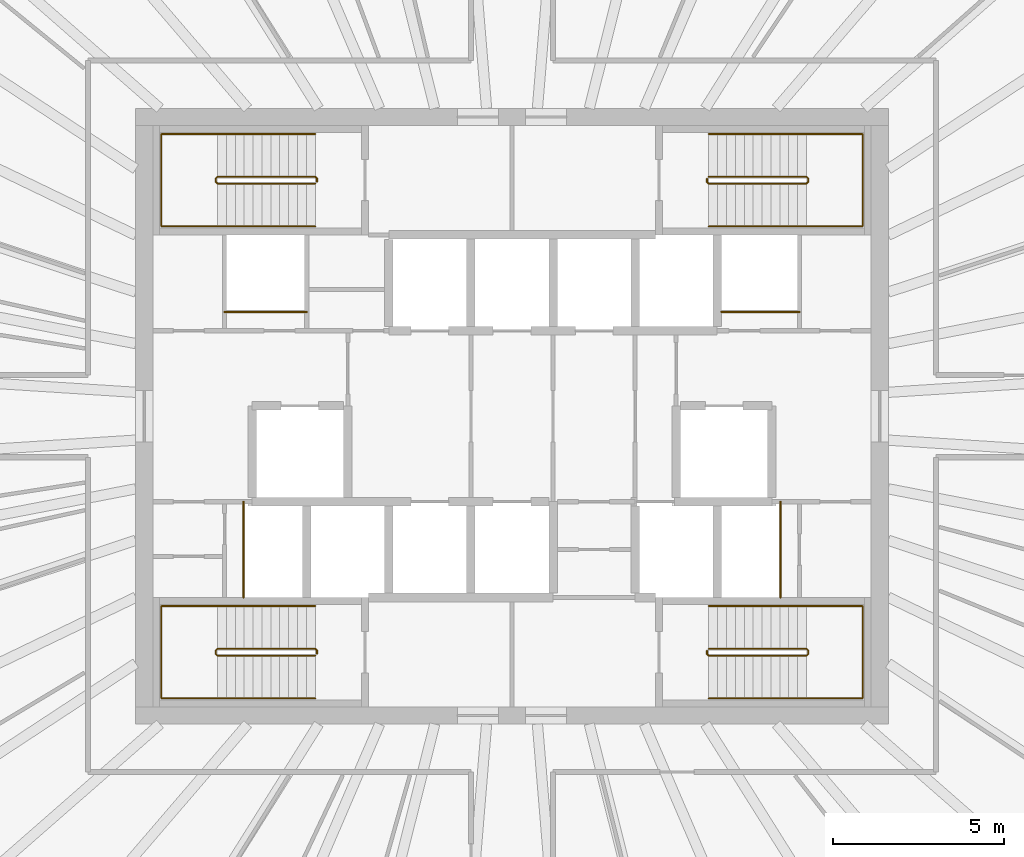
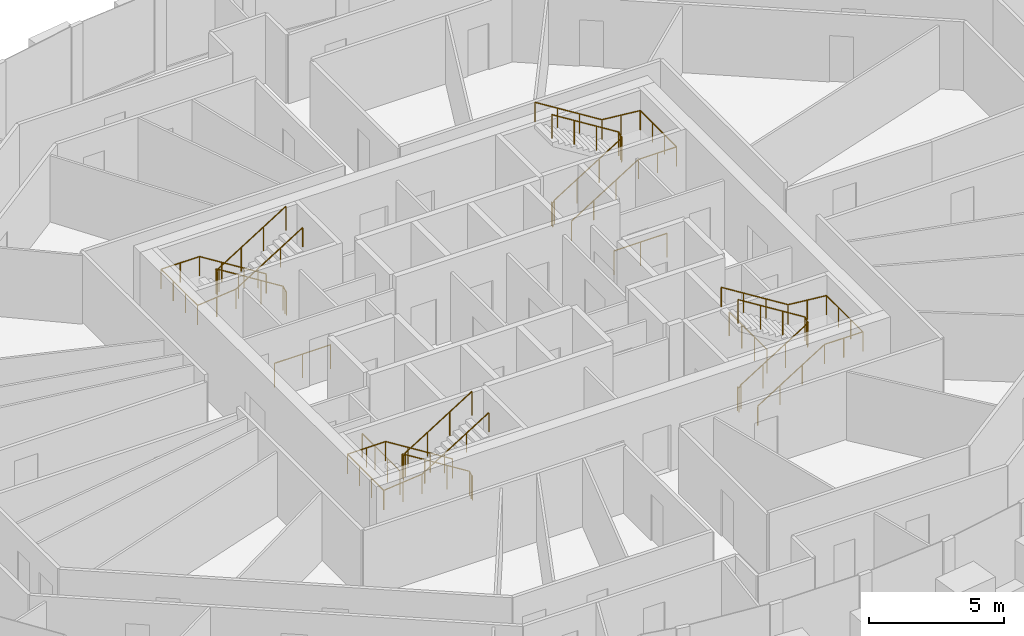
# One storey, part 12 of 12: 12 railings.
"""IFC4 building model written with IfcOpenShell, lengths in metres."""

from ifc_helpers import new_model, si_unit, direction, frame, origin, origin_2d, place, context, subcontext, project, spatial, circle, extrude, source, transform, mapped, material, type_object, element, save


model = new_model("IFC4")

# Units and contexts
model_context = context("Model", 3, precision=1e-05, world=origin(), true_north=direction((0.0, 1.0)))
body_context = subcontext(model_context, "Body", "Model", "MODEL_VIEW")
ifc_project = project(units=[si_unit("LENGTHUNIT", "METRE"), si_unit("AREAUNIT", "SQUARE_METRE"), si_unit("VOLUMEUNIT", "CUBIC_METRE"), si_unit("PLANEANGLEUNIT", "RADIAN"), si_unit("MASSUNIT", "GRAM", prefix="KILO")], contexts=[model_context])

# Site, building, storey
site_placement = place(None, origin())
site = spatial("IfcSite", under=ifc_project, at=site_placement, CompositionType="ELEMENT")
building_placement = place(site_placement, origin())
building = spatial("IfcBuilding", under=site, at=building_placement, Name="Embergate Tower", CompositionType="ELEMENT")
storey_placement = place(building_placement, frame((0.0, 0.0, 293.5)))
storey = spatial("IfcBuildingStorey", under=building, at=storey_placement, Name="L68", CompositionType="ELEMENT", Elevation=293.5)

# Railings
ifc_material_1 = material(Name="Stair guard 1100")
railing_type_1 = type_object("IfcRailingType", Name="Stair guard 1100", PredefinedType="GUARDRAIL", material=ifc_material_1)
shared_shape_1 = source(origin(), body_context, "Body", "SweptSolid", [
    extrude(circle(Radius=0.02392578125, at=origin_2d()), frame((0.0, 0.0, 1.076171875), z_axis=(0.0, 1.0, 0.0), x_axis=(-1.0, 0.0, 0.0)), (0.0, 0.0, 1.0), 0.099853515625),
    extrude(circle(Radius=0.02392578125, at=origin_2d()), frame((0.0, 0.099853515625, 1.076171875), z_axis=(-0.282227285176, 0.282227285176, 0.916894497205), x_axis=(-0.707106781187, -0.707106781187, 0.0)), (0.0, 0.0, 1.0), 0.17724609375),
    extrude(circle(Radius=0.02392578125, at=origin_2d()), frame((-0.050048828125, 0.14990234375, 1.23876953125), z_axis=(-0.848026770018, 0.0, 0.529953391661), x_axis=(0.0, -1.0, 0.0)), (0.0, 0.0, 1.0), 3.37255859375),
    extrude(circle(Radius=0.02392578125, at=origin_2d()), frame((-2.91015625, 0.14990234375, 3.02587890625), z_axis=(-0.705375805398, -0.708833529934, 0.0), x_axis=(0.708833529934, -0.705375805398, 0.0)), (0.0, 0.0, 1.0), 0.070556640625),
    extrude(circle(Radius=0.02392578125, at=origin_2d()), frame((-2.9599609375, 0.099853515625, 3.02587890625), z_axis=(0.0, -1.0, 0.0), x_axis=(1.0, 0.0, 0.0)), (0.0, 0.0, 1.0), 0.099853515625),
    extrude(circle(Radius=0.02392578125, at=origin_2d()), frame((-2.9599609375, 0.0, 3.02587890625), z_axis=(0.280959487676, -0.282336740067, 0.917250092119), x_axis=(0.708833529934, 0.705375805398, 0.0)), (0.0, 0.0, 1.0), 0.17724609375),
    extrude(circle(Radius=0.02392578125, at=origin_2d()), frame((-2.91015625, -0.050048828125, 3.1884765625), z_axis=(0.848026770018, 0.0, 0.529953391661), x_axis=(0.0, 1.0, 0.0)), (0.0, 0.0, 1.0), 3.37255859375),
    extrude(circle(Radius=0.02099609375, at=origin_2d()), origin(), (0.0, 0.0, 1.0), 1.052001953125),
    extrude(circle(Radius=0.02099609375, at=origin_2d()), frame((0.0, 0.099853515625, 0.0)), (0.0, 0.0, 1.0), 1.052001953125),
    extrude(circle(Radius=0.02099609375, at=origin_2d()), frame((-0.050048828125, 0.14990234375, 0.16259765625)), (0.0, 0.0, 1.0), 1.052001953125),
    extrude(circle(Radius=0.02099609375, at=origin_2d()), frame((-1.00341796875, 0.14990234375, 0.75830078125)), (0.0, 0.0, 1.0), 1.052001953125),
    extrude(circle(Radius=0.02099609375, at=origin_2d()), frame((-1.956787109375, 0.14990234375, 1.354248046875)), (0.0, 0.0, 1.0), 1.052001953125),
    extrude(circle(Radius=0.02099609375, at=origin_2d()), frame((-2.91015625, 0.14990234375, 1.949951171875)), (0.0, 0.0, 1.0), 1.052001953125),
    extrude(circle(Radius=0.02099609375, at=origin_2d()), frame((-2.9599609375, 0.099853515625, 1.949951171875)), (0.0, 0.0, 1.0), 1.052001953125),
    extrude(circle(Radius=0.02099609375, at=origin_2d()), frame((-2.9599609375, 0.0, 1.949951171875)), (0.0, 0.0, 1.0), 1.052001953125),
    extrude(circle(Radius=0.02099609375, at=origin_2d()), frame((-2.91015625, -0.050048828125, 2.112548828125)), (0.0, 0.0, 1.0), 1.052001953125),
    extrude(circle(Radius=0.02099609375, at=origin_2d()), frame((-1.956787109375, -0.050048828125, 2.708251953125)), (0.0, 0.0, 1.0), 1.052001953125),
    extrude(circle(Radius=0.02099609375, at=origin_2d()), frame((-1.00341796875, -0.050048828125, 3.30419921875)), (0.0, 0.0, 1.0), 1.052001953125),
    extrude(circle(Radius=0.02099609375, at=origin_2d()), frame((-0.050048828125, -0.050048828125, 3.89990234375)), (0.0, 0.0, 1.0), 1.052001953125),
])
for number, where, name in (
    (1, (-5.699951171875, 6.85009765625, 0.0), "L68 ST1 stair guard 1"),
    (2, (-5.699951171875, -6.949951171875, 0.0), "L68 ST3 stair guard 1"),
):
    element("IfcRailing", number, at=place(storey_placement, frame(where)), inside=storey, type_object=railing_type_1, Name=name, PredefinedType="GUARDRAIL", context=body_context, shape_type="MappedRepresentation", body=[
        mapped(shared_shape_1, transform((0.0, 0.0, 0.0))),
    ])
ifc_material_2 = material(Name="Stair handrail 900")
railing_type_2 = type_object("IfcRailingType", Name="Stair handrail 900", PredefinedType="HANDRAIL", material=ifc_material_2)
shared_shape_2 = source(origin(), body_context, "Body", "SweptSolid", [
    extrude(circle(Radius=0.02392578125, at=origin_2d()), frame((0.0, 0.0, 0.8759765625), z_axis=(-0.848026770018, 0.0, 0.529953391661), x_axis=(0.0, -1.0, 0.0)), (0.0, 0.0, 1.0), 3.37255859375),
    extrude(circle(Radius=0.02392578125, at=origin_2d()), frame((-2.860107421875, 0.0, 2.6630859375), z_axis=(-1.0, 0.0, 0.0), x_axis=(0.0, -1.0, 0.0)), (0.0, 0.0, 1.0), 1.639892578125),
    extrude(circle(Radius=0.02392578125, at=origin_2d()), frame((-4.5, 0.0, 2.6630859375), z_axis=(0.0, -1.0, 0.0), x_axis=(1.0, 0.0, 0.0)), (0.0, 0.0, 1.0), 2.699951171875),
    extrude(circle(Radius=0.02392578125, at=origin_2d()), frame((-4.5, -2.699951171875, 2.6630859375), z_axis=(0.995120448088, 0.0, 0.098667592441), x_axis=(0.0, 1.0, 0.0)), (0.0, 0.0, 1.0), 1.64794921875),
    extrude(circle(Radius=0.02392578125, at=origin_2d()), frame((-2.860107421875, -2.699951171875, 2.82568359375), z_axis=(0.848026770018, 0.0, 0.529953391661), x_axis=(0.0, 1.0, 0.0)), (0.0, 0.0, 1.0), 3.37255859375),
    extrude(circle(Radius=0.02099609375, at=origin_2d()), origin(), (0.0, 0.0, 1.0), 0.851806640625),
    extrude(circle(Radius=0.02099609375, at=origin_2d()), frame((-0.953369140625, 0.0, 0.595703125)), (0.0, 0.0, 1.0), 0.851806640625),
    extrude(circle(Radius=0.02099609375, at=origin_2d()), frame((-1.90673828125, 0.0, 1.191650390625)), (0.0, 0.0, 1.0), 0.851806640625),
    extrude(circle(Radius=0.02099609375, at=origin_2d()), frame((-2.860107421875, 0.0, 1.787353515625)), (0.0, 0.0, 1.0), 0.851806640625),
    extrude(circle(Radius=0.02099609375, at=origin_2d()), frame((-3.68017578125, 0.0, 1.787353515625)), (0.0, 0.0, 1.0), 0.851806640625),
    extrude(circle(Radius=0.02099609375, at=origin_2d()), frame((-4.5, 0.0, 1.787353515625)), (0.0, 0.0, 1.0), 0.851806640625),
    extrude(circle(Radius=0.02099609375, at=origin_2d()), frame((-4.5, -0.89990234375, 1.787353515625)), (0.0, 0.0, 1.0), 0.851806640625),
    extrude(circle(Radius=0.02099609375, at=origin_2d()), frame((-4.5, -1.800048828125, 1.787353515625)), (0.0, 0.0, 1.0), 0.851806640625),
    extrude(circle(Radius=0.02099609375, at=origin_2d()), frame((-4.5, -2.699951171875, 1.787353515625)), (0.0, 0.0, 1.0), 0.851806640625),
    extrude(circle(Radius=0.02099609375, at=origin_2d()), frame((-3.68017578125, -2.699951171875, 1.86865234375)), (0.0, 0.0, 1.0), 0.851806640625),
    extrude(circle(Radius=0.02099609375, at=origin_2d()), frame((-2.860107421875, -2.699951171875, 1.949951171875)), (0.0, 0.0, 1.0), 0.851806640625),
    extrude(circle(Radius=0.02099609375, at=origin_2d()), frame((-1.90673828125, -2.699951171875, 2.545654296875)), (0.0, 0.0, 1.0), 0.851806640625),
    extrude(circle(Radius=0.02099609375, at=origin_2d()), frame((-0.953369140625, -2.699951171875, 3.1416015625)), (0.0, 0.0, 1.0), 0.851806640625),
    extrude(circle(Radius=0.02099609375, at=origin_2d()), frame((0.0, -2.699951171875, 3.7373046875)), (0.0, 0.0, 1.0), 0.851806640625),
])
for number, where, name in (
    (3, (-5.75, 8.25, 0.16259765625), "L68 ST1 stair handrail 1"),
    (4, (-5.75, -5.550048828125, 0.16259765625), "L68 ST3 stair handrail 1"),
):
    element("IfcRailing", number, at=place(storey_placement, frame(where)), inside=storey, type_object=railing_type_2, Name=name, PredefinedType="HANDRAIL", context=body_context, shape_type="MappedRepresentation", body=[
        mapped(shared_shape_2, transform((0.0, 0.0, 0.0))),
    ])
shared_shape_3 = source(origin(), body_context, "Body", "SweptSolid", [
    extrude(circle(Radius=0.02392578125, at=origin_2d()), frame((0.0, 0.0, 1.076171875), z_axis=(0.0, -1.0, 0.0), x_axis=(1.0, 0.0, 0.0)), (0.0, 0.0, 1.0), 0.099853515625),
    extrude(circle(Radius=0.02392578125, at=origin_2d()), frame((0.0, -0.099853515625, 1.076171875), z_axis=(0.282227285176, -0.282227285176, 0.916894497205), x_axis=(0.707106781187, 0.707106781187, 0.0)), (0.0, 0.0, 1.0), 0.17724609375),
    extrude(circle(Radius=0.02392578125, at=origin_2d()), frame((0.050048828125, -0.14990234375, 1.23876953125), z_axis=(0.848026770018, 0.0, 0.529953391661), x_axis=(0.0, 1.0, 0.0)), (0.0, 0.0, 1.0), 3.37255859375),
    extrude(circle(Radius=0.02392578125, at=origin_2d()), frame((2.91015625, -0.14990234375, 3.02587890625), z_axis=(0.705375805398, 0.708833529934, 0.0), x_axis=(-0.708833529934, 0.705375805398, 0.0)), (0.0, 0.0, 1.0), 0.070556640625),
    extrude(circle(Radius=0.02392578125, at=origin_2d()), frame((2.9599609375, -0.099853515625, 3.02587890625), z_axis=(0.0, 1.0, 0.0), x_axis=(-1.0, 0.0, 0.0)), (0.0, 0.0, 1.0), 0.099853515625),
    extrude(circle(Radius=0.02392578125, at=origin_2d()), frame((2.9599609375, 0.0, 3.02587890625), z_axis=(-0.280959487676, 0.282336740067, 0.917250092119), x_axis=(-0.708833529934, -0.705375805398, 0.0)), (0.0, 0.0, 1.0), 0.17724609375),
    extrude(circle(Radius=0.02392578125, at=origin_2d()), frame((2.91015625, 0.050048828125, 3.1884765625), z_axis=(-0.848026770018, 0.0, 0.529953391661), x_axis=(0.0, -1.0, 0.0)), (0.0, 0.0, 1.0), 3.37255859375),
    extrude(circle(Radius=0.02099609375, at=origin_2d()), origin(), (0.0, 0.0, 1.0), 1.052001953125),
    extrude(circle(Radius=0.02099609375, at=origin_2d()), frame((0.0, -0.099853515625, 0.0)), (0.0, 0.0, 1.0), 1.052001953125),
    extrude(circle(Radius=0.02099609375, at=origin_2d()), frame((0.050048828125, -0.14990234375, 0.16259765625)), (0.0, 0.0, 1.0), 1.052001953125),
    extrude(circle(Radius=0.02099609375, at=origin_2d()), frame((1.00341796875, -0.14990234375, 0.75830078125)), (0.0, 0.0, 1.0), 1.052001953125),
    extrude(circle(Radius=0.02099609375, at=origin_2d()), frame((1.956787109375, -0.14990234375, 1.354248046875)), (0.0, 0.0, 1.0), 1.052001953125),
    extrude(circle(Radius=0.02099609375, at=origin_2d()), frame((2.91015625, -0.14990234375, 1.949951171875)), (0.0, 0.0, 1.0), 1.052001953125),
    extrude(circle(Radius=0.02099609375, at=origin_2d()), frame((2.9599609375, -0.099853515625, 1.949951171875)), (0.0, 0.0, 1.0), 1.052001953125),
    extrude(circle(Radius=0.02099609375, at=origin_2d()), frame((2.9599609375, 0.0, 1.949951171875)), (0.0, 0.0, 1.0), 1.052001953125),
    extrude(circle(Radius=0.02099609375, at=origin_2d()), frame((2.91015625, 0.050048828125, 2.112548828125)), (0.0, 0.0, 1.0), 1.052001953125),
    extrude(circle(Radius=0.02099609375, at=origin_2d()), frame((1.956787109375, 0.050048828125, 2.708251953125)), (0.0, 0.0, 1.0), 1.052001953125),
    extrude(circle(Radius=0.02099609375, at=origin_2d()), frame((1.00341796875, 0.050048828125, 3.30419921875)), (0.0, 0.0, 1.0), 1.052001953125),
    extrude(circle(Radius=0.02099609375, at=origin_2d()), frame((0.050048828125, 0.050048828125, 3.89990234375)), (0.0, 0.0, 1.0), 1.052001953125),
])
for number, where, name in (
    (5, (5.699951171875, 6.949951171875, 0.0), "L68 ST2 stair guard 1"),
    (6, (5.699951171875, -6.85009765625, 0.0), "L68 ST4 stair guard 1"),
):
    element("IfcRailing", number, at=place(storey_placement, frame(where)), inside=storey, type_object=railing_type_1, Name=name, PredefinedType="GUARDRAIL", context=body_context, shape_type="MappedRepresentation", body=[
        mapped(shared_shape_3, transform((0.0, 0.0, 0.0))),
    ])
shared_shape_4 = source(origin(), body_context, "Body", "SweptSolid", [
    extrude(circle(Radius=0.02392578125, at=origin_2d()), frame((0.0, 0.0, 0.8759765625), z_axis=(0.848026770018, 0.0, 0.529953391661), x_axis=(0.0, 1.0, 0.0)), (0.0, 0.0, 1.0), 3.37255859375),
    extrude(circle(Radius=0.02392578125, at=origin_2d()), frame((2.860107421875, 0.0, 2.6630859375), z_axis=(1.0, 0.0, 0.0), x_axis=(0.0, 1.0, 0.0)), (0.0, 0.0, 1.0), 1.639892578125),
    extrude(circle(Radius=0.02392578125, at=origin_2d()), frame((4.5, 0.0, 2.6630859375), z_axis=(0.0, 1.0, 0.0), x_axis=(-1.0, 0.0, 0.0)), (0.0, 0.0, 1.0), 2.699951171875),
    extrude(circle(Radius=0.02392578125, at=origin_2d()), frame((4.5, 2.699951171875, 2.6630859375), z_axis=(-0.995120448088, 0.0, 0.098667592441), x_axis=(0.0, -1.0, 0.0)), (0.0, 0.0, 1.0), 1.64794921875),
    extrude(circle(Radius=0.02392578125, at=origin_2d()), frame((2.860107421875, 2.699951171875, 2.82568359375), z_axis=(-0.848026770018, 0.0, 0.529953391661), x_axis=(0.0, -1.0, 0.0)), (0.0, 0.0, 1.0), 3.37255859375),
    extrude(circle(Radius=0.02099609375, at=origin_2d()), origin(), (0.0, 0.0, 1.0), 0.851806640625),
    extrude(circle(Radius=0.02099609375, at=origin_2d()), frame((0.953369140625, 0.0, 0.595703125)), (0.0, 0.0, 1.0), 0.851806640625),
    extrude(circle(Radius=0.02099609375, at=origin_2d()), frame((1.90673828125, 0.0, 1.191650390625)), (0.0, 0.0, 1.0), 0.851806640625),
    extrude(circle(Radius=0.02099609375, at=origin_2d()), frame((2.860107421875, 0.0, 1.787353515625)), (0.0, 0.0, 1.0), 0.851806640625),
    extrude(circle(Radius=0.02099609375, at=origin_2d()), frame((3.68017578125, 0.0, 1.787353515625)), (0.0, 0.0, 1.0), 0.851806640625),
    extrude(circle(Radius=0.02099609375, at=origin_2d()), frame((4.5, 0.0, 1.787353515625)), (0.0, 0.0, 1.0), 0.851806640625),
    extrude(circle(Radius=0.02099609375, at=origin_2d()), frame((4.5, 0.89990234375, 1.787353515625)), (0.0, 0.0, 1.0), 0.851806640625),
    extrude(circle(Radius=0.02099609375, at=origin_2d()), frame((4.5, 1.800048828125, 1.787353515625)), (0.0, 0.0, 1.0), 0.851806640625),
    extrude(circle(Radius=0.02099609375, at=origin_2d()), frame((4.5, 2.699951171875, 1.787353515625)), (0.0, 0.0, 1.0), 0.851806640625),
    extrude(circle(Radius=0.02099609375, at=origin_2d()), frame((3.68017578125, 2.699951171875, 1.86865234375)), (0.0, 0.0, 1.0), 0.851806640625),
    extrude(circle(Radius=0.02099609375, at=origin_2d()), frame((2.860107421875, 2.699951171875, 1.949951171875)), (0.0, 0.0, 1.0), 0.851806640625),
    extrude(circle(Radius=0.02099609375, at=origin_2d()), frame((1.90673828125, 2.699951171875, 2.545654296875)), (0.0, 0.0, 1.0), 0.851806640625),
    extrude(circle(Radius=0.02099609375, at=origin_2d()), frame((0.953369140625, 2.699951171875, 3.1416015625)), (0.0, 0.0, 1.0), 0.851806640625),
    extrude(circle(Radius=0.02099609375, at=origin_2d()), frame((0.0, 2.699951171875, 3.7373046875)), (0.0, 0.0, 1.0), 0.851806640625),
])
for number, where, name in (
    (7, (5.75, 5.550048828125, 0.16259765625), "L68 ST2 stair handrail 1"),
    (8, (5.75, -8.25, 0.16259765625), "L68 ST4 stair handrail 1"),
):
    element("IfcRailing", number, at=place(storey_placement, frame(where)), inside=storey, type_object=railing_type_2, Name=name, PredefinedType="HANDRAIL", context=body_context, shape_type="MappedRepresentation", body=[
        mapped(shared_shape_4, transform((0.0, 0.0, 0.0))),
    ])
ifc_material_3 = material(Name="Opening guard 1100")
railing_type_3 = type_object("IfcRailingType", Name="Opening guard 1100", PredefinedType="GUARDRAIL", material=ifc_material_3)
shared_shape_5 = source(origin(), body_context, "Body", "SweptSolid", [
    extrude(circle(Radius=0.02392578125, at=origin_2d()), frame((0.0, 0.0, 1.076171875), z_axis=(1.0, 0.0, 0.0), x_axis=(0.0, 1.0, 0.0)), (0.0, 0.0, 1.0), 2.27490234375),
    extrude(circle(Radius=0.02099609375, at=origin_2d()), origin(), (0.0, 0.0, 1.0), 1.052001953125),
    extrude(circle(Radius=0.02099609375, at=origin_2d()), frame((1.137451171875, 0.0, 0.0)), (0.0, 0.0, 1.0), 1.052001953125),
    extrude(circle(Radius=0.02099609375, at=origin_2d()), frame((2.27490234375, 0.0, 0.0)), (0.0, 0.0, 1.0), 1.052001953125),
])
railing_1_placement = place(storey_placement, frame((6.125, 3.050048828125, 0.0)))
element("IfcRailing", 9, at=railing_1_placement, inside=storey, type_object=railing_type_3, Name="Riser opening guard", PredefinedType="GUARDRAIL", context=body_context, shape_type="MappedRepresentation", body=[
    mapped(shared_shape_5, transform((0.0, 0.0, 0.0))),
])
shared_shape_6 = source(origin(), body_context, "Body", "SweptSolid", [
    extrude(circle(Radius=0.02392578125, at=origin_2d()), frame((0.0, 0.0, 1.076171875), z_axis=(0.0, 1.0, 0.0), x_axis=(-1.0, 0.0, 0.0)), (0.0, 0.0, 1.0), 2.800048828125),
    extrude(circle(Radius=0.02099609375, at=origin_2d()), origin(), (0.0, 0.0, 1.0), 1.052001953125),
    extrude(circle(Radius=0.02099609375, at=origin_2d()), frame((0.0, 0.933349609375, 0.0)), (0.0, 0.0, 1.0), 1.052001953125),
    extrude(circle(Radius=0.02099609375, at=origin_2d()), frame((0.0, 1.86669921875, 0.0)), (0.0, 0.0, 1.0), 1.052001953125),
    extrude(circle(Radius=0.02099609375, at=origin_2d()), frame((0.0, 2.800048828125, 0.0)), (0.0, 0.0, 1.0), 1.052001953125),
])
for number, where, name in (
    (10, (-7.85009765625, -5.300048828125, 0.0), "Riser opening guard"),
    (11, (7.85009765625, -5.300048828125, 0.0), "Riser opening guard"),
):
    element("IfcRailing", number, at=place(storey_placement, frame(where)), inside=storey, type_object=railing_type_3, Name=name, PredefinedType="GUARDRAIL", context=body_context, shape_type="MappedRepresentation", body=[
        mapped(shared_shape_6, transform((0.0, 0.0, 0.0))),
    ])
shared_shape_7 = source(origin(), body_context, "Body", "SweptSolid", [
    extrude(circle(Radius=0.02392578125, at=origin_2d()), frame((0.0, 0.0, 1.076171875), z_axis=(1.0, 0.0, 0.0), x_axis=(0.0, 1.0, 0.0)), (0.0, 0.0, 1.0), 2.39990234375),
    extrude(circle(Radius=0.02099609375, at=origin_2d()), origin(), (0.0, 0.0, 1.0), 1.052001953125),
    extrude(circle(Radius=0.02099609375, at=origin_2d()), frame((1.199951171875, 0.0, 0.0)), (0.0, 0.0, 1.0), 1.052001953125),
    extrude(circle(Radius=0.02099609375, at=origin_2d()), frame((2.39990234375, 0.0, 0.0)), (0.0, 0.0, 1.0), 1.052001953125),
])
railing_2_placement = place(storey_placement, frame((-8.39990234375, 3.050048828125, 0.0)))
element("IfcRailing", 12, at=railing_2_placement, inside=storey, type_object=railing_type_3, Name="Riser opening guard", PredefinedType="GUARDRAIL", context=body_context, shape_type="MappedRepresentation", body=[
    mapped(shared_shape_7, transform((0.0, 0.0, 0.0))),
])

save(model, "model.ifc")
